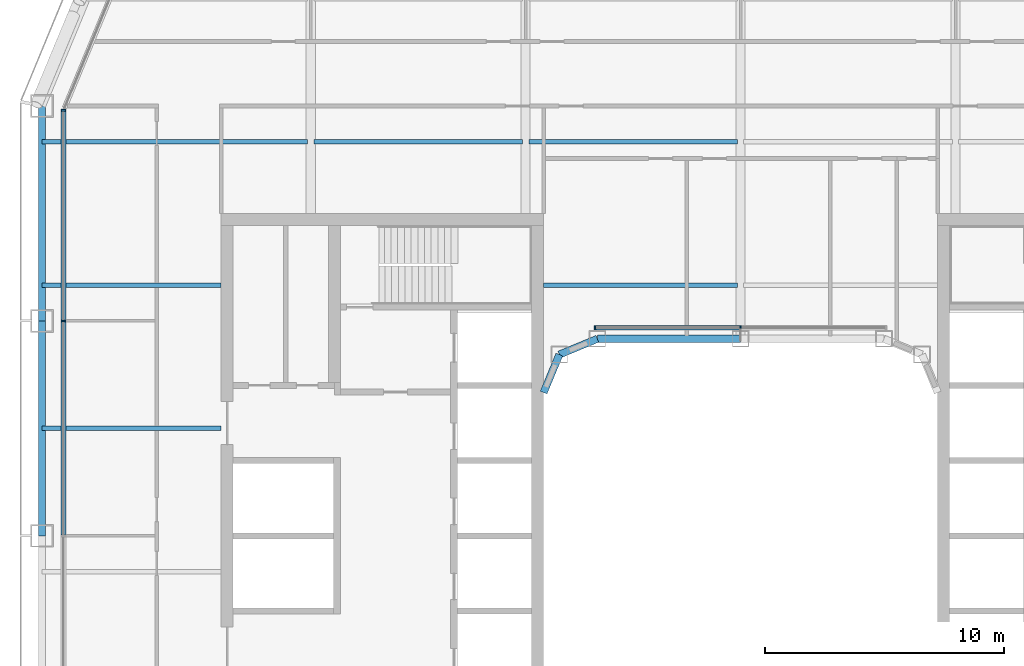
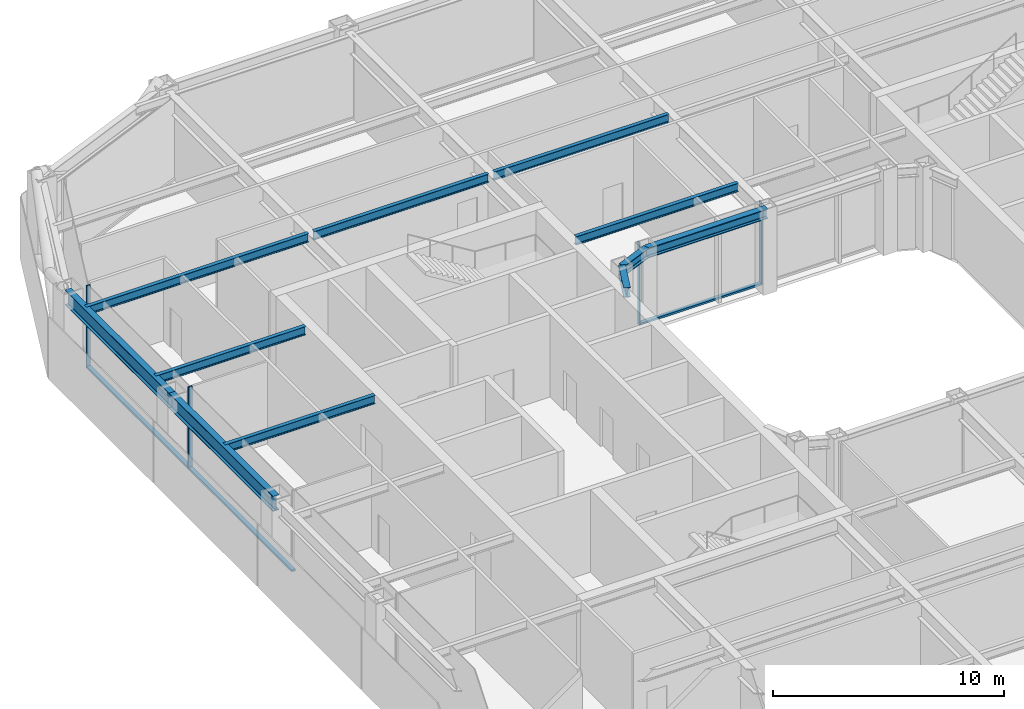
# One storey, part 6 of 23: 11 beams, 7 members, 2 elements without a shape of their own.
"""IFC4 building model written with IfcOpenShell, lengths in metres."""

from ifc_helpers import new_model, si_unit, direction, frame, origin, origin_2d, place, context, subcontext, project, spatial, rectangle, i_section, extrude, material, layer, layer_set, material_profile, profile_set, type_object, element, aggregate, save


model = new_model("IFC4")

# Units and contexts
model_context = context("Model", 3, precision=1e-05, world=origin(), true_north=direction((0.0, 1.0)))
body_context = subcontext(model_context, "Body", "Model", "MODEL_VIEW")
ifc_project = project(units=[si_unit("LENGTHUNIT", "METRE"), si_unit("AREAUNIT", "SQUARE_METRE"), si_unit("VOLUMEUNIT", "CUBIC_METRE"), si_unit("PLANEANGLEUNIT", "RADIAN"), si_unit("MASSUNIT", "GRAM", prefix="KILO")], contexts=[model_context])

# Site, building, storey
site_placement = place(None, origin())
site = spatial("IfcSite", under=ifc_project, at=site_placement, CompositionType="ELEMENT")
building_placement = place(site_placement, origin())
building = spatial("IfcBuilding", under=site, at=building_placement, Name="Siwar Civic Tower", CompositionType="ELEMENT")
storey_placement = place(building_placement, frame((0.0, 0.0, 127.199951171875)))
storey = spatial("IfcBuildingStorey", under=building, at=storey_placement, Name="L27", CompositionType="ELEMENT", Elevation=127.199951171875)

# Curtain wall, members
ifc_material_1 = material(Name="Aluminium and glass", Category="aluminium")
ifc_layer_1 = layer(ifc_material_1, 0.199951171875)
ifc_layer_set_1 = layer_set([ifc_layer_1], Name="Aluminium and glass")
curtain_wall_type_1 = type_object("IfcCurtainWallType", Name="ENV-CW-B", PredefinedType="NOTDEFINED", material=ifc_layer_set_1)
curtain_wall_1_placement = place(storey_placement, origin())
curtain_wall_1 = element("IfcCurtainWall", 1, at=curtain_wall_1_placement, inside=storey, type_object=curtain_wall_type_1, Name="Curtain wall B W", PredefinedType="NOTDEFINED")
ifc_material_2 = material(Name="Aluminium 6063-T6", Category="aluminium")
ifc_material_profile_1 = material_profile(ifc_material_2, rectangle(XDim=0.199951171875, YDim=0.06494140625, at=origin_2d()), Name="AL 200x65")
ifc_profile_set_1 = profile_set([ifc_material_profile_1], Name="Aluminium 6063-T6")
member_type_1 = type_object("IfcMemberType", Name="ENV-MULLION-B", PredefinedType="MULLION", material=ifc_profile_set_1)
member_1_placement = place(storey_placement, frame((-28.35009765625, 17.821044921875, 0.0), z_axis=(0.0, 0.0, 1.0), x_axis=(1.0, 0.0, 0.0)))
member_1 = element("IfcMember", 2, at=member_1_placement, type_object=member_type_1, Name="Mullion B W 1", PredefinedType="MULLION", context=body_context, shape_type="SweptSolid", body=[
    extrude(rectangle(XDim=0.199951171875, YDim=0.06494140625, at=origin_2d()), origin(), (0.0, 0.0, 1.0), 4.35009765625),
])
member_2_placement = place(storey_placement, frame((-28.35009765625, 9.0, 0.0), z_axis=(0.0, 0.0, 1.0), x_axis=(1.0, 0.0, 0.0)))
member_2 = element("IfcMember", 3, at=member_2_placement, type_object=member_type_1, Name="Mullion B W 2", PredefinedType="MULLION", context=body_context, shape_type="SweptSolid", body=[
    extrude(rectangle(XDim=0.199951171875, YDim=0.06494140625, at=origin_2d()), origin(), (0.0, 0.0, 1.0), 4.35009765625),
])

ifc_material_3 = material(Name="Aluminium and glass", Category="aluminium")
ifc_layer_2 = layer(ifc_material_3, 0.179931640625)
ifc_layer_set_2 = layer_set([ifc_layer_2], Name="Aluminium and glass")
curtain_wall_type_2 = type_object("IfcCurtainWallType", Name="ENV-CW-W", PredefinedType="NOTDEFINED", material=ifc_layer_set_2)
curtain_wall_2_placement = place(storey_placement, origin())
curtain_wall_2 = element("IfcCurtainWall", 4, at=curtain_wall_2_placement, inside=storey, type_object=curtain_wall_type_2, Name="Curtain wall W WN", PredefinedType="NOTDEFINED")
ifc_material_4 = material(Name="Aluminium 6063-T6", Category="aluminium")
ifc_material_profile_2 = material_profile(ifc_material_4, rectangle(XDim=0.179931640625, YDim=0.06005859375, at=origin_2d()), Name="AL 180x60")
ifc_profile_set_2 = profile_set([ifc_material_profile_2], Name="Aluminium 6063-T6")
member_type_2 = type_object("IfcMemberType", Name="ENV-MULLION-W", PredefinedType="MULLION", material=ifc_profile_set_2)
member_3_placement = place(storey_placement, frame((0.0, 8.7099609375, 0.0), z_axis=(0.0, 0.0, 1.0), x_axis=(0.0, -1.0, 0.0)))
member_3 = element("IfcMember", 5, at=member_3_placement, type_object=member_type_2, Name="Mullion W WN 2", PredefinedType="MULLION", context=body_context, shape_type="SweptSolid", body=[
    extrude(rectangle(XDim=0.179931640625, YDim=0.06005859375, at=origin_2d()), origin(), (0.0, 0.0, 1.0), 4.35009765625),
])
member_4_placement = place(storey_placement, frame((-6.091552734375, 8.7099609375, 0.0), z_axis=(0.0, 0.0, 1.0), x_axis=(0.0, -1.0, 0.0)))
member_4 = element("IfcMember", 6, at=member_4_placement, type_object=member_type_2, Name="Mullion W WN 3", PredefinedType="MULLION", context=body_context, shape_type="SweptSolid", body=[
    extrude(rectangle(XDim=0.179931640625, YDim=0.06005859375, at=origin_2d()), origin(), (0.0, 0.0, 1.0), 4.35009765625),
])

# Member
ifc_material_5 = material(Name="Aluminium 6063-T6", Category="aluminium")
ifc_material_profile_3 = material_profile(ifc_material_5, rectangle(XDim=0.199951171875, YDim=0.110107421875, at=origin_2d()), Name="AL 200x110")
ifc_profile_set_3 = profile_set([ifc_material_profile_3], Name="Aluminium 6063-T6")
member_type_3 = type_object("IfcMemberType", Name="ENV-TRANSOM-B", PredefinedType="USERDEFINED", material=ifc_profile_set_3)
member_5_placement = place(storey_placement, frame((-28.35009765625, 17.78857421875, 0.054931640625), z_axis=(0.0, -1.0, 0.0), x_axis=(1.0, 0.0, 0.0)))
member_5 = element("IfcMember", 7, at=member_5_placement, type_object=member_type_3, Name="Transom B W 1", ObjectType="TRANSOM", PredefinedType="USERDEFINED", context=body_context, shape_type="SweptSolid", body=[
    extrude(rectangle(XDim=0.199951171875, YDim=0.110107421875, at=origin_2d()), origin(), (0.0, 0.0, 1.0), 8.756103515625),
])

member_6_placement = place(storey_placement, frame((-28.35009765625, 8.967529296875, 0.054931640625), z_axis=(0.0, -1.0, 0.0), x_axis=(1.0, 0.0, 0.0)))
member_6 = element("IfcMember", 8, at=member_6_placement, type_object=member_type_3, Name="Transom B W 2", ObjectType="TRANSOM", PredefinedType="USERDEFINED", context=body_context, shape_type="SweptSolid", body=[
    extrude(rectangle(XDim=0.199951171875, YDim=0.110107421875, at=origin_2d()), origin(), (0.0, 0.0, 1.0), 8.93505859375),
])

aggregate(curtain_wall_1, [member_1, member_2, member_5, member_6])

ifc_material_6 = material(Name="Aluminium 6063-T6", Category="aluminium")
ifc_material_profile_4 = material_profile(ifc_material_6, rectangle(XDim=0.179931640625, YDim=0.10009765625, at=origin_2d()), Name="AL 180x100")
ifc_profile_set_4 = profile_set([ifc_material_profile_4], Name="Aluminium 6063-T6")
member_type_4 = type_object("IfcMemberType", Name="ENV-TRANSOM-W", PredefinedType="USERDEFINED", material=ifc_profile_set_4)
member_7_placement = place(storey_placement, frame((-0.030029296875, 8.7099609375, 0.050048828125), z_axis=(-1.0, 0.0, 0.0), x_axis=(0.0, -1.0, 0.0)))
member_7 = element("IfcMember", 9, at=member_7_placement, type_object=member_type_4, Name="Transom W WN 2", ObjectType="TRANSOM", PredefinedType="USERDEFINED", context=body_context, shape_type="SweptSolid", body=[
    extrude(rectangle(XDim=0.179931640625, YDim=0.10009765625, at=origin_2d()), origin(), (0.0, 0.0, 1.0), 6.031494140625),
])

aggregate(curtain_wall_2, [member_3, member_4, member_7])

# Beams
ifc_material_7 = material(Name="Steel S355", Category="steel")
ifc_material_profile_5 = material_profile(ifc_material_7, i_section(OverallWidth=0.18994140625, OverallDepth=0.449951171875, WebThickness=0.009521484375, FlangeThickness=0.0146484375, FilletRadius=0.02099609375, at=origin_2d()), Name="IPE450")
ifc_profile_set_5 = profile_set([ifc_material_profile_5], Name="Steel S355")
beam_type_1 = type_object("IfcBeamType", Name="STR-FB-IPE450", PredefinedType="JOIST", material=ifc_profile_set_5)
for number, where, z_axis, x_axis, name in (
    (10, (-29.25, 4.5, 4.125), (1.0, 0.0, 0.0), (0.0, 1.0, 0.0), "L27/bm/F025"),
    (11, (-29.25, 10.5, 4.125), (1.0, 0.0, 0.0), (0.0, 1.0, 0.0), "L27/bm/F027"),
):
    element("IfcBeam", number, at=place(storey_placement, frame(where, z_axis=z_axis, x_axis=x_axis)), inside=storey, type_object=beam_type_1, Name=name, PredefinedType="JOIST", context=body_context, shape_type="SweptSolid", body=[
        extrude(i_section(OverallWidth=0.18994140625, OverallDepth=0.449951171875, WebThickness=0.009521484375, FlangeThickness=0.0146484375, FilletRadius=0.02099609375, at=origin_2d()), origin(), (0.0, 0.0, 1.0), 7.5),
    ])
beam_1_placement = place(storey_placement, frame((-8.25, 10.5, 4.125), z_axis=(1.0, 0.0, 0.0), x_axis=(0.0, 1.0, 0.0)))
element("IfcBeam", 12, at=beam_1_placement, inside=storey, type_object=beam_type_1, Name="L27/bm/F028", PredefinedType="JOIST", context=body_context, shape_type="SweptSolid", body=[
    extrude(i_section(OverallWidth=0.18994140625, OverallDepth=0.449951171875, WebThickness=0.009521484375, FlangeThickness=0.0146484375, FilletRadius=0.02099609375, at=origin_2d()), origin(), (0.0, 0.0, 1.0), 8.1201171875),
])
beam_2_placement = place(storey_placement, frame((-29.25, 16.5, 4.125), z_axis=(1.0, 0.0, 0.0), x_axis=(0.0, 1.0, 0.0)))
element("IfcBeam", 13, at=beam_2_placement, inside=storey, type_object=beam_type_1, Name="L27/bm/F031", PredefinedType="JOIST", context=body_context, shape_type="SweptSolid", body=[
    extrude(i_section(OverallWidth=0.18994140625, OverallDepth=0.449951171875, WebThickness=0.009521484375, FlangeThickness=0.0146484375, FilletRadius=0.02099609375, at=origin_2d()), origin(), (0.0, 0.0, 1.0), 11.1201171875),
])
for number, where, z_axis, x_axis, name in (
    (14, (-17.8701171875, 16.5, 4.125), (1.0, 0.0, 0.0), (0.0, 1.0, 0.0), "L27/bm/F032"),
    (15, (-8.8701171875, 16.5, 4.125), (1.0, 0.0, 0.0), (0.0, 1.0, 0.0), "L27/bm/F033"),
):
    element("IfcBeam", number, at=place(storey_placement, frame(where, z_axis=z_axis, x_axis=x_axis)), inside=storey, type_object=beam_type_1, Name=name, PredefinedType="JOIST", context=body_context, shape_type="SweptSolid", body=[
        extrude(i_section(OverallWidth=0.18994140625, OverallDepth=0.449951171875, WebThickness=0.009521484375, FlangeThickness=0.0146484375, FilletRadius=0.02099609375, at=origin_2d()), origin(), (0.0, 0.0, 1.0), 8.740234375),
    ])
ifc_material_8 = material(Name="Steel S355", Category="steel")
ifc_material_profile_6 = material_profile(ifc_material_8, i_section(OverallWidth=0.305908203125, OverallDepth=0.52392578125, WebThickness=0.02099609375, FlangeThickness=0.0400390625, FilletRadius=0.027099609375, at=origin_2d()), Name="HEM500")
ifc_profile_set_6 = profile_set([ifc_material_profile_6], Name="Steel S355")
beam_type_2 = type_object("IfcBeamType", Name="STR-RB-HEM500", PredefinedType="BEAM", material=ifc_profile_set_6)
beam_3_placement = place(storey_placement, frame((-7.591064453125, 7.591064453125, 4.088134765625), z_axis=(0.923901072997, 0.382631424892, 0.0), x_axis=(-0.382631424892, 0.923901072997, 0.0)))
element("IfcBeam", 16, at=beam_3_placement, inside=storey, type_object=beam_type_2, Name="L27/bm/RN0", PredefinedType="BEAM", context=body_context, shape_type="SweptSolid", body=[
    extrude(i_section(OverallWidth=0.305908203125, OverallDepth=0.52392578125, WebThickness=0.02099609375, FlangeThickness=0.0400390625, FilletRadius=0.027099609375, at=origin_2d()), origin(), (0.0, 0.0, 1.0), 1.72216796875),
])
beam_4_placement = place(storey_placement, frame((-6.0, 8.25, 4.088134765625), z_axis=(1.0, 0.0, 0.0), x_axis=(0.0, 1.0, 0.0)))
element("IfcBeam", 17, at=beam_4_placement, inside=storey, type_object=beam_type_2, Name="L27/bm/RN1", PredefinedType="BEAM", context=body_context, shape_type="SweptSolid", body=[
    extrude(i_section(OverallWidth=0.305908203125, OverallDepth=0.52392578125, WebThickness=0.02099609375, FlangeThickness=0.0400390625, FilletRadius=0.027099609375, at=origin_2d()), origin(), (0.0, 0.0, 1.0), 6.0),
])
beam_5_placement = place(storey_placement, frame((-7.591064453125, 7.591064453125, 4.088134765625), z_axis=(-0.382631424892, -0.923901072997, 0.0), x_axis=(0.923901072997, -0.382631424892, 0.0)))
element("IfcBeam", 18, at=beam_5_placement, inside=storey, type_object=beam_type_2, Name="L27/bm/RNEW", PredefinedType="BEAM", context=body_context, shape_type="SweptSolid", body=[
    extrude(i_section(OverallWidth=0.305908203125, OverallDepth=0.52392578125, WebThickness=0.02099609375, FlangeThickness=0.0400390625, FilletRadius=0.027099609375, at=origin_2d()), origin(), (0.0, 0.0, 1.0), 1.72216796875),
])
ifc_material_9 = material(Name="Steel S355", Category="steel")
ifc_material_profile_7 = material_profile(ifc_material_9, i_section(OverallWidth=0.300048828125, OverallDepth=0.800048828125, WebThickness=0.017578125, FlangeThickness=0.032958984375, FilletRadius=0.030029296875, at=origin_2d()), Name="HEB800")
ifc_profile_set_7 = profile_set([ifc_material_profile_7], Name="Steel S355")
beam_type_3 = type_object("IfcBeamType", Name="STR-SB-HEB800", PredefinedType="BEAM", material=ifc_profile_set_7)
for number, where, z_axis, x_axis, name in (
    (19, (-29.25, 18.0, 3.949951171875), (0.0, -1.0, 0.0), (1.0, 0.0, 0.0), "L27/bm/SW-0"),
    (20, (-29.25, 9.0, 3.949951171875), (0.0, -1.0, 0.0), (1.0, 0.0, 0.0), "L27/bm/SW-1"),
):
    element("IfcBeam", number, at=place(storey_placement, frame(where, z_axis=z_axis, x_axis=x_axis)), inside=storey, type_object=beam_type_3, Name=name, PredefinedType="BEAM", context=body_context, shape_type="SweptSolid", body=[
        extrude(i_section(OverallWidth=0.300048828125, OverallDepth=0.800048828125, WebThickness=0.017578125, FlangeThickness=0.032958984375, FilletRadius=0.030029296875, at=origin_2d()), origin(), (0.0, 0.0, 1.0), 9.0),
    ])

save(model, "model.ifc")
